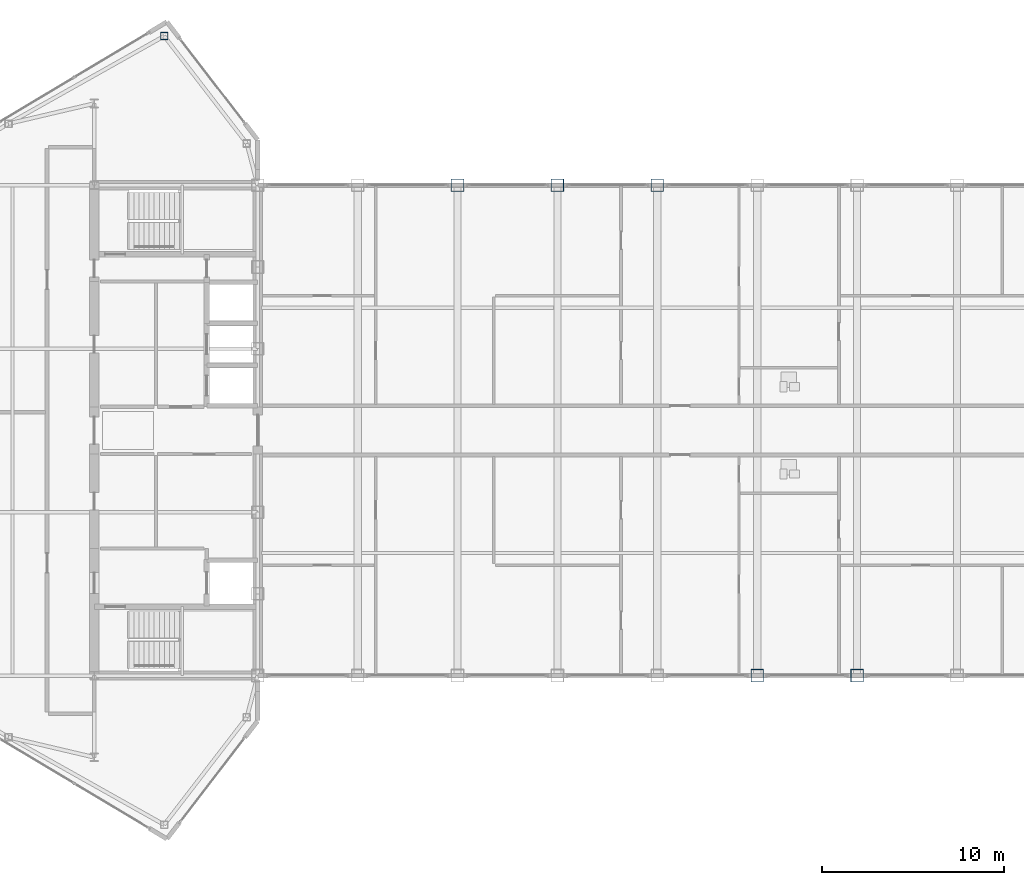
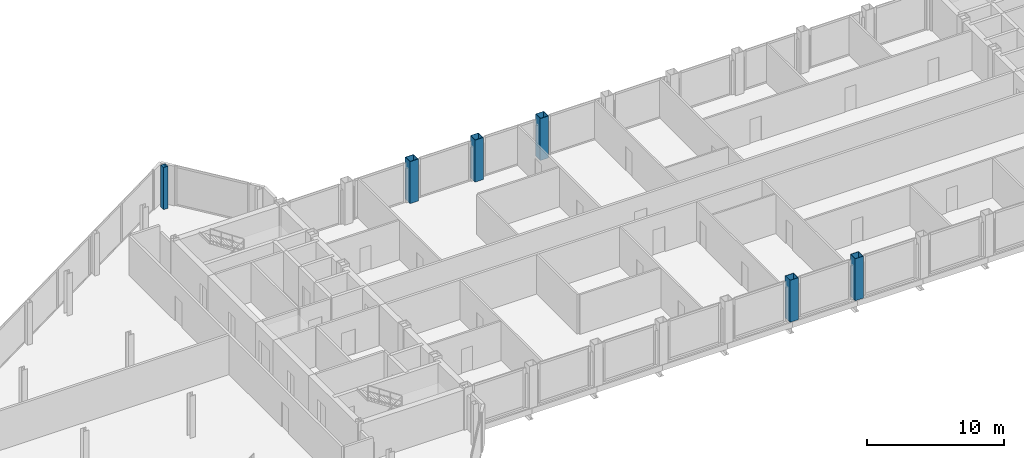
# One storey, part 3 of 28: 6 columns.
"""IFC4 building model written with IfcOpenShell, lengths in metres."""

from ifc_helpers import new_model, si_unit, direction, frame, origin, origin_2d, place, context, subcontext, project, spatial, hollow_rectangle, extrude, source, transform, mapped, material, material_profile, profile_set, type_object, type_shapes, element, save


model = new_model("IFC4")

# Units and contexts
model_context = context("Model", 3, precision=1e-05, world=origin(), true_north=direction((0.0, 1.0)))
body_context = subcontext(model_context, "Body", "Model", "MODEL_VIEW")
ifc_project = project(units=[si_unit("LENGTHUNIT", "METRE"), si_unit("AREAUNIT", "SQUARE_METRE"), si_unit("VOLUMEUNIT", "CUBIC_METRE"), si_unit("PLANEANGLEUNIT", "RADIAN"), si_unit("MASSUNIT", "GRAM", prefix="KILO")], contexts=[model_context])

# Site, building, storey
site_placement = place(None, origin())
site = spatial("IfcSite", under=ifc_project, at=site_placement, CompositionType="ELEMENT")
building_placement = place(site_placement, origin())
building = spatial("IfcBuilding", under=site, at=building_placement, Name="Seokmaru Belvedere", CompositionType="ELEMENT")
storey_placement = place(building_placement, frame((0.0, 0.0, 261.89990234375)))
storey = spatial("IfcBuildingStorey", under=building, at=storey_placement, Name="L69", CompositionType="ELEMENT", Elevation=261.89990234375)

# Columns
ifc_material = material(Name="Steel SM355 (355 MPa)", Category="steel")
ifc_material_profile_1 = material_profile(ifc_material, hollow_rectangle(XDim=0.699951171875, YDim=0.699951171875, WallThickness=0.030029296875, at=origin_2d()), Name="BOX-700x700x30")
ifc_profile_set_1 = profile_set([ifc_material_profile_1], Name="Steel SM355 (355 MPa)")
column_type_1 = type_object("IfcColumnType", Name="Upper Spine Column BOX-700", PredefinedType="COLUMN", material=ifc_profile_set_1)
shared_shape_1 = source(origin(), body_context, "Body", "SweptSolid", [
    extrude(hollow_rectangle(XDim=0.699951171875, YDim=0.699951171875, WallThickness=0.030029296875, at=origin_2d()), origin(), (0.0, 0.0, 1.0), 3.75),
])
type_shapes(column_type_1, [shared_shape_1])
for number, where, z_axis, x_axis, name in (
    (1, (-16.5, 13.5, 0.0), (0.0, 0.0, 1.0), (1.0, 0.0, 0.0), "L69 Column BRN_2"),
    (2, (-11.0, 13.5, 0.0), (0.0, 0.0, 1.0), (1.0, 0.0, 0.0), "L69 Column BRN_3"),
    (3, (-5.5, 13.5, 0.0), (0.0, 0.0, 1.0), (1.0, 0.0, 0.0), "L69 Column BRN_4"),
    (4, (0.0, -13.5, 0.0), (0.0, 0.0, 1.0), (1.0, 0.0, 0.0), "L69 Column BRS_5"),
    (5, (5.5, -13.5, 0.0), (0.0, 0.0, 1.0), (1.0, 0.0, 0.0), "L69 Column BRS_6"),
):
    element("IfcColumn", number, at=place(storey_placement, frame(where, z_axis=z_axis, x_axis=x_axis)), inside=storey, type_object=column_type_1, Name=name, PredefinedType="COLUMN", context=body_context, shape_type="MappedRepresentation", body=[
        mapped(shared_shape_1, transform((0.0, 0.0, 0.0), scale=1.0)),
    ])
ifc_material_profile_2 = material_profile(ifc_material, hollow_rectangle(XDim=0.39990234375, YDim=0.39990234375, WallThickness=0.01611328125, at=origin_2d()), Name="HSS-400x400x16")
ifc_profile_set_2 = profile_set([ifc_material_profile_2], Name="Steel SM355 (355 MPa)")
column_type_2 = type_object("IfcColumnType", Name="Perimeter Facet Column HSS-400", PredefinedType="COLUMN", material=ifc_profile_set_2)
shared_shape_2 = source(origin(), body_context, "Body", "SweptSolid", [
    extrude(hollow_rectangle(XDim=0.39990234375, YDim=0.39990234375, WallThickness=0.01611328125, at=origin_2d()), origin(), (0.0, 0.0, 1.0), 3.75),
])
type_shapes(column_type_2, [shared_shape_2])
column_placement = place(storey_placement, frame((-32.649658203125, 21.71044921875, 0.0), z_axis=(0.0, 0.0, 1.0), x_axis=(1.0, 0.0, 0.0)))
element("IfcColumn", 6, at=column_placement, inside=storey, type_object=column_type_2, Name="L69 Column WF3", PredefinedType="COLUMN", context=body_context, shape_type="MappedRepresentation", body=[
    mapped(shared_shape_2, transform((0.0, 0.0, 0.0), scale=1.0)),
])

save(model, "model.ifc")
